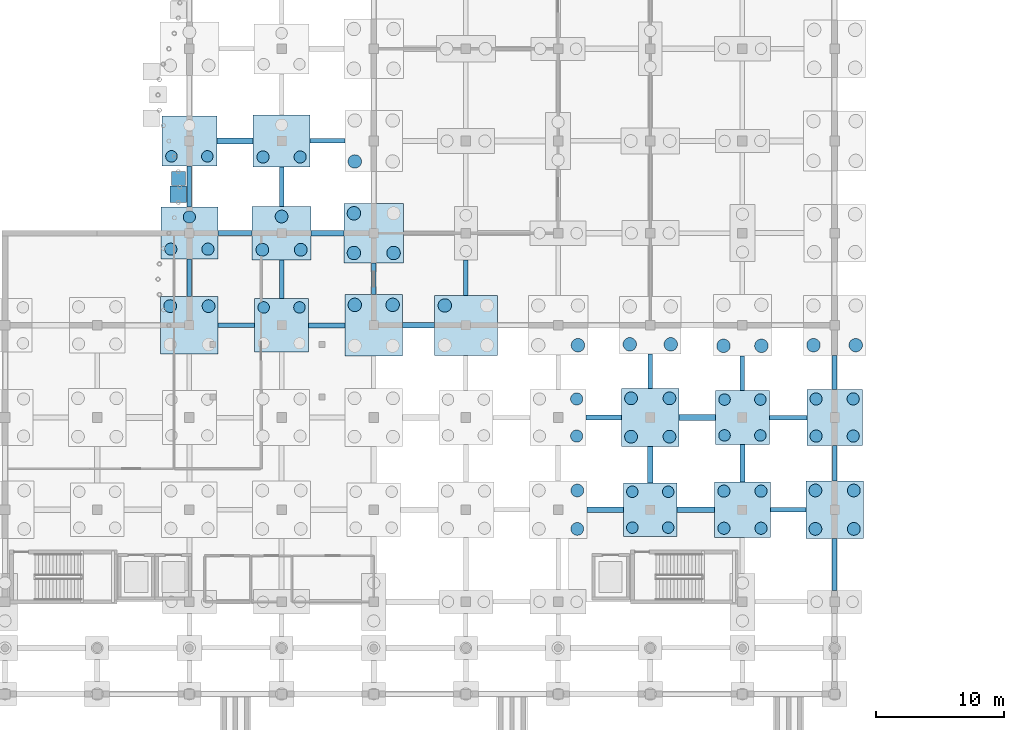
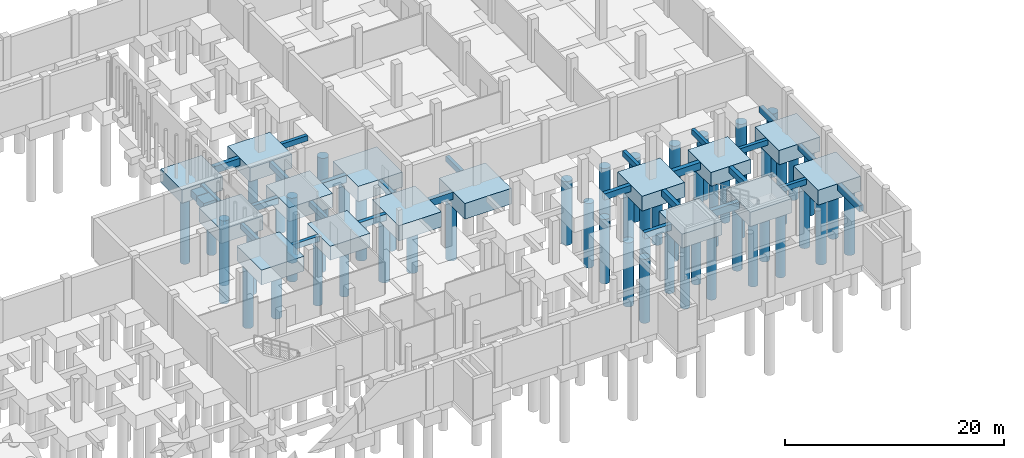
# One storey, part 7 of 35: 56 piles, 43 footings.
"""IFC4 building model written with IfcOpenShell, lengths in metres."""

from ifc_helpers import new_model, si_unit, direction, frame, origin, origin_2d, place, context, subcontext, project, spatial, rectangle, circle, extrude, material, material_profile, profile_set, type_object, element, save


model = new_model("IFC4")

# Units and contexts
model_context = context("Model", 3, precision=1e-05, world=origin(), true_north=direction((0.0, 1.0)))
body_context = subcontext(model_context, "Body", "Model", "MODEL_VIEW")
ifc_project = project(units=[si_unit("LENGTHUNIT", "METRE"), si_unit("AREAUNIT", "SQUARE_METRE"), si_unit("VOLUMEUNIT", "CUBIC_METRE"), si_unit("PLANEANGLEUNIT", "RADIAN"), si_unit("MASSUNIT", "GRAM", prefix="KILO"), si_unit("THERMODYNAMICTEMPERATUREUNIT", "KELVIN"), si_unit("POWERUNIT", "WATT")], contexts=[model_context])

# Site, building, storey
site_placement = place(None, origin())
site = spatial("IfcSite", under=ifc_project, at=site_placement, CompositionType="ELEMENT")
building_placement = place(site_placement, origin())
building = spatial("IfcBuilding", under=site, at=building_placement, Name="Kaldorven Railside Theatre", CompositionType="ELEMENT")
storey_placement = place(building_placement, frame((0.0, 0.0, -4.800048828125)))
storey = spatial("IfcBuildingStorey", under=building, at=storey_placement, Name="B1", CompositionType="ELEMENT", Elevation=-4.800048828125)

# Footings
ifc_material_1 = material(Name="Concrete C40/50", Category="concrete")
ifc_material_profile_1 = material_profile(ifc_material_1, rectangle(XDim=0.449951171875, YDim=0.800048828125, at=origin_2d()), Name="RC 450x800")
ifc_profile_set_1 = profile_set([ifc_material_profile_1], Name="Concrete C40/50")
footing_type_1 = type_object("IfcFootingType", Name="FTG-GB01", PredefinedType="FOOTING_BEAM", material=ifc_profile_set_1)
footing_1_placement = place(storey_placement, frame((110.89990234375, 26.39990234375, -0.39990234375), z_axis=(1.0, 0.0, 0.0), x_axis=(0.0, 1.0, 0.0)))
element("IfcFooting", 1, at=footing_1_placement, inside=storey, type_object=footing_type_1, Name="Foundation Tie Beam GB-111", PredefinedType="FOOTING_BEAM", context=body_context, shape_type="SweptSolid", body=[
    extrude(rectangle(XDim=0.449951171875, YDim=0.800048828125, at=origin_2d()), origin(), (0.0, 0.0, 1.0), 2.925048828125),
])
footing_2_placement = place(storey_placement, frame((111.050048828125, 33.60009765625, -0.39990234375), z_axis=(1.0, 0.0, 0.0), x_axis=(0.0, 1.0, 0.0)))
element("IfcFooting", 2, at=footing_2_placement, inside=storey, type_object=footing_type_1, Name="Foundation Tie Beam GB-144", PredefinedType="FOOTING_BEAM", context=body_context, shape_type="SweptSolid", body=[
    extrude(rectangle(XDim=0.449951171875, YDim=0.800048828125, at=origin_2d()), origin(), (0.0, 0.0, 1.0), 2.849853515625),
])
footing_3_placement = place(storey_placement, frame((89.449951171875, 40.800048828125, -0.39990234375), z_axis=(1.0, 0.0, 0.0), x_axis=(0.0, 1.0, 0.0)))
element("IfcFooting", 3, at=footing_3_placement, inside=storey, type_object=footing_type_1, Name="Foundation Tie Beam GB-168", PredefinedType="FOOTING_BEAM", context=body_context, shape_type="SweptSolid", body=[
    extrude(rectangle(XDim=0.449951171875, YDim=0.800048828125, at=origin_2d()), origin(), (0.0, 0.0, 1.0), 2.5),
])
footing_4_placement = place(storey_placement, frame((82.300048828125, 48.0, -0.39990234375), z_axis=(1.0, 0.0, 0.0), x_axis=(0.0, 1.0, 0.0)))
element("IfcFooting", 4, at=footing_4_placement, inside=storey, type_object=footing_type_1, Name="Foundation Tie Beam GB-192", PredefinedType="FOOTING_BEAM", context=body_context, shape_type="SweptSolid", body=[
    extrude(rectangle(XDim=0.449951171875, YDim=0.800048828125, at=origin_2d()), origin(), (0.0, 0.0, 1.0), 2.574951171875),
])
footing_5_placement = place(storey_placement, frame((74.949951171875, 55.199951171875, -0.39990234375), z_axis=(1.0, 0.0, 0.0), x_axis=(0.0, 1.0, 0.0)))
element("IfcFooting", 5, at=footing_5_placement, inside=storey, type_object=footing_type_1, Name="Foundation Tie Beam GB-216", PredefinedType="FOOTING_BEAM", context=body_context, shape_type="SweptSolid", body=[
    extrude(rectangle(XDim=0.449951171875, YDim=0.800048828125, at=origin_2d()), origin(), (0.0, 0.0, 1.0), 2.824951171875),
])
ifc_material_profile_2 = material_profile(ifc_material_1, rectangle(XDim=0.39990234375, YDim=0.699951171875, at=origin_2d()), Name="RC 400x700")
ifc_profile_set_2 = profile_set([ifc_material_profile_2], Name="Concrete C40/50")
footing_type_2 = type_object("IfcFootingType", Name="FTG-GB02", PredefinedType="FOOTING_BEAM", material=ifc_profile_set_2)
footing_6_placement = place(storey_placement, frame((123.199951171875, 20.10009765625, -0.349853515625), z_axis=(0.0, 1.0, 0.0), x_axis=(-1.0, 0.0, 0.0)))
element("IfcFooting", 6, at=footing_6_placement, inside=storey, type_object=footing_type_2, Name="Foundation Tie Beam GB-082", PredefinedType="FOOTING_BEAM", context=body_context, shape_type="SweptSolid", body=[
    extrude(rectangle(XDim=0.39990234375, YDim=0.699951171875, at=origin_2d()), origin(), (0.0, 0.0, 1.0), 4.0498046875),
])
footing_7_placement = place(storey_placement, frame((103.85009765625, 26.39990234375, -0.349853515625), z_axis=(1.0, 0.0, 0.0), x_axis=(0.0, 1.0, 0.0)))
element("IfcFooting", 7, at=footing_7_placement, inside=storey, type_object=footing_type_2, Name="Foundation Tie Beam GB-109", PredefinedType="FOOTING_BEAM", context=body_context, shape_type="SweptSolid", body=[
    extrude(rectangle(XDim=0.39990234375, YDim=0.699951171875, at=origin_2d()), origin(), (0.0, 0.0, 1.0), 2.849853515625),
])
footing_8_placement = place(storey_placement, frame((108.800048828125, 28.5, -0.349853515625), z_axis=(0.0, 1.0, 0.0), x_axis=(-1.0, 0.0, 0.0)))
element("IfcFooting", 8, at=footing_8_placement, inside=storey, type_object=footing_type_2, Name="Foundation Tie Beam GB-112", PredefinedType="FOOTING_BEAM", context=body_context, shape_type="SweptSolid", body=[
    extrude(rectangle(XDim=0.39990234375, YDim=0.699951171875, at=origin_2d()), origin(), (0.0, 0.0, 1.0), 2.85009765625),
])
footing_9_placement = place(storey_placement, frame((116.0, 28.574951171875, -0.349853515625), z_axis=(0.0, 1.0, 0.0), x_axis=(-1.0, 0.0, 0.0)))
element("IfcFooting", 9, at=footing_9_placement, inside=storey, type_object=footing_type_2, Name="Foundation Tie Beam GB-114", PredefinedType="FOOTING_BEAM", context=body_context, shape_type="SweptSolid", body=[
    extrude(rectangle(XDim=0.39990234375, YDim=0.699951171875, at=origin_2d()), origin(), (0.0, 0.0, 1.0), 2.925048828125),
])
footing_10_placement = place(storey_placement, frame((103.77490234375, 33.60009765625, -0.349853515625), z_axis=(1.0, 0.0, 0.0), x_axis=(0.0, 1.0, 0.0)))
element("IfcFooting", 10, at=footing_10_placement, inside=storey, type_object=footing_type_2, Name="Foundation Tie Beam GB-142", PredefinedType="FOOTING_BEAM", context=body_context, shape_type="SweptSolid", body=[
    extrude(rectangle(XDim=0.39990234375, YDim=0.699951171875, at=origin_2d()), origin(), (0.0, 0.0, 1.0), 2.775146484375),
])
footing_11_placement = place(storey_placement, frame((123.199951171875, 35.77490234375, -0.349853515625), z_axis=(0.0, 1.0, 0.0), x_axis=(-1.0, 0.0, 0.0)))
element("IfcFooting", 11, at=footing_11_placement, inside=storey, type_object=footing_type_2, Name="Foundation Tie Beam GB-148", PredefinedType="FOOTING_BEAM", context=body_context, shape_type="SweptSolid", body=[
    extrude(rectangle(XDim=0.39990234375, YDim=0.699951171875, at=origin_2d()), origin(), (0.0, 0.0, 1.0), 2.675048828125),
])
footing_12_placement = place(storey_placement, frame((82.10009765625, 40.800048828125, -0.349853515625), z_axis=(1.0, 0.0, 0.0), x_axis=(0.0, 1.0, 0.0)))
element("IfcFooting", 12, at=footing_12_placement, inside=storey, type_object=footing_type_2, Name="Foundation Tie Beam GB-166", PredefinedType="FOOTING_BEAM", context=body_context, shape_type="SweptSolid", body=[
    extrude(rectangle(XDim=0.39990234375, YDim=0.699951171875, at=origin_2d()), origin(), (0.0, 0.0, 1.0), 2.849853515625),
])
footing_13_placement = place(storey_placement, frame((75.02490234375, 48.0, -0.349853515625), z_axis=(1.0, 0.0, 0.0), x_axis=(0.0, 1.0, 0.0)))
element("IfcFooting", 13, at=footing_13_placement, inside=storey, type_object=footing_type_2, Name="Foundation Tie Beam GB-190", PredefinedType="FOOTING_BEAM", context=body_context, shape_type="SweptSolid", body=[
    extrude(rectangle(XDim=0.39990234375, YDim=0.699951171875, at=origin_2d()), origin(), (0.0, 0.0, 1.0), 2.675048828125),
])
ifc_material_profile_3 = material_profile(ifc_material_1, rectangle(XDim=0.35009765625, YDim=0.60009765625, at=origin_2d()), Name="RC 350x600")
ifc_profile_set_3 = profile_set([ifc_material_profile_3], Name="Concrete C40/50")
footing_type_3 = type_object("IfcFootingType", Name="FTG-GB03", PredefinedType="FOOTING_BEAM", material=ifc_profile_set_3)
footing_14_placement = place(storey_placement, frame((118.175048828125, 26.39990234375, -0.300048828125), z_axis=(1.0, 0.0, 0.0), x_axis=(0.0, 1.0, 0.0)))
element("IfcFooting", 14, at=footing_14_placement, inside=storey, type_object=footing_type_3, Name="Foundation Tie Beam GB-113", PredefinedType="FOOTING_BEAM", context=body_context, shape_type="SweptSolid", body=[
    extrude(rectangle(XDim=0.35009765625, YDim=0.60009765625, at=origin_2d()), origin(), (0.0, 0.0, 1.0), 2.77490234375),
])
footing_15_placement = place(storey_placement, frame((123.199951171875, 28.64990234375, -0.300048828125), z_axis=(0.0, 1.0, 0.0), x_axis=(-1.0, 0.0, 0.0)))
element("IfcFooting", 15, at=footing_15_placement, inside=storey, type_object=footing_type_3, Name="Foundation Tie Beam GB-115", PredefinedType="FOOTING_BEAM", context=body_context, shape_type="SweptSolid", body=[
    extrude(rectangle(XDim=0.35009765625, YDim=0.60009765625, at=origin_2d()), origin(), (0.0, 0.0, 1.0), 2.775146484375),
])
footing_16_placement = place(storey_placement, frame((108.800048828125, 35.85009765625, -0.300048828125), z_axis=(0.0, 1.0, 0.0), x_axis=(-1.0, 0.0, 0.0)))
element("IfcFooting", 16, at=footing_16_placement, inside=storey, type_object=footing_type_3, Name="Foundation Tie Beam GB-145", PredefinedType="FOOTING_BEAM", context=body_context, shape_type="SweptSolid", body=[
    extrude(rectangle(XDim=0.35009765625, YDim=0.60009765625, at=origin_2d()), origin(), (0.0, 0.0, 1.0), 2.699951171875),
])
footing_17_placement = place(storey_placement, frame((118.10009765625, 33.60009765625, -0.300048828125), z_axis=(1.0, 0.0, 0.0), x_axis=(0.0, 1.0, 0.0)))
element("IfcFooting", 17, at=footing_17_placement, inside=storey, type_object=footing_type_3, Name="Foundation Tie Beam GB-146", PredefinedType="FOOTING_BEAM", context=body_context, shape_type="SweptSolid", body=[
    extrude(rectangle(XDim=0.35009765625, YDim=0.60009765625, at=origin_2d()), origin(), (0.0, 0.0, 1.0), 2.9248046875),
])
footing_18_placement = place(storey_placement, frame((116.0, 35.699951171875, -0.300048828125), z_axis=(0.0, 1.0, 0.0), x_axis=(-1.0, 0.0, 0.0)))
element("IfcFooting", 18, at=footing_18_placement, inside=storey, type_object=footing_type_3, Name="Foundation Tie Beam GB-147", PredefinedType="FOOTING_BEAM", context=body_context, shape_type="SweptSolid", body=[
    extrude(rectangle(XDim=0.35009765625, YDim=0.60009765625, at=origin_2d()), origin(), (0.0, 0.0, 1.0), 2.699951171875),
])
footing_19_placement = place(storey_placement, frame((75.050048828125, 40.800048828125, -0.300048828125), z_axis=(1.0, 0.0, 0.0), x_axis=(0.0, 1.0, 0.0)))
element("IfcFooting", 19, at=footing_19_placement, inside=storey, type_object=footing_type_3, Name="Foundation Tie Beam GB-164", PredefinedType="FOOTING_BEAM", context=body_context, shape_type="SweptSolid", body=[
    extrude(rectangle(XDim=0.35009765625, YDim=0.60009765625, at=origin_2d()), origin(), (0.0, 0.0, 1.0), 2.849853515625),
])
footing_20_placement = place(storey_placement, frame((72.800048828125, 43.050048828125, -0.300048828125), z_axis=(0.0, 1.0, 0.0), x_axis=(-1.0, 0.0, 0.0)))
element("IfcFooting", 20, at=footing_20_placement, inside=storey, type_object=footing_type_3, Name="Foundation Tie Beam GB-165", PredefinedType="FOOTING_BEAM", context=body_context, shape_type="SweptSolid", body=[
    extrude(rectangle(XDim=0.35009765625, YDim=0.60009765625, at=origin_2d()), origin(), (0.0, 0.0, 1.0), 2.925048828125),
])
footing_21_placement = place(storey_placement, frame((80.0, 42.89990234375, -0.300048828125), z_axis=(0.0, 1.0, 0.0), x_axis=(-1.0, 0.0, 0.0)))
element("IfcFooting", 21, at=footing_21_placement, inside=storey, type_object=footing_type_3, Name="Foundation Tie Beam GB-167", PredefinedType="FOOTING_BEAM", context=body_context, shape_type="SweptSolid", body=[
    extrude(rectangle(XDim=0.35009765625, YDim=0.60009765625, at=origin_2d()), origin(), (0.0, 0.0, 1.0), 3.0),
])
footing_22_placement = place(storey_placement, frame((87.199951171875, 43.199951171875, -0.300048828125), z_axis=(0.0, 1.0, 0.0), x_axis=(-1.0, 0.0, 0.0)))
element("IfcFooting", 22, at=footing_22_placement, inside=storey, type_object=footing_type_3, Name="Foundation Tie Beam GB-169", PredefinedType="FOOTING_BEAM", context=body_context, shape_type="SweptSolid", body=[
    extrude(rectangle(XDim=0.35009765625, YDim=0.60009765625, at=origin_2d()), origin(), (0.0, 0.0, 1.0), 2.47509765625),
])
footing_23_placement = place(storey_placement, frame((94.39990234375, 43.14990234375, -0.300048828125), z_axis=(0.0, 1.0, 0.0), x_axis=(-1.0, 0.0, 0.0)))
element("IfcFooting", 23, at=footing_23_placement, inside=storey, type_object=footing_type_3, Name="Foundation Tie Beam GB-171", PredefinedType="FOOTING_BEAM", context=body_context, shape_type="SweptSolid", body=[
    extrude(rectangle(XDim=0.35009765625, YDim=0.60009765625, at=origin_2d()), origin(), (0.0, 0.0, 1.0), 2.75),
])
footing_24_placement = place(storey_placement, frame((72.800048828125, 50.02490234375, -0.300048828125), z_axis=(0.0, 1.0, 0.0), x_axis=(-1.0, 0.0, 0.0)))
element("IfcFooting", 24, at=footing_24_placement, inside=storey, type_object=footing_type_3, Name="Foundation Tie Beam GB-191", PredefinedType="FOOTING_BEAM", context=body_context, shape_type="SweptSolid", body=[
    extrude(rectangle(XDim=0.35009765625, YDim=0.60009765625, at=origin_2d()), origin(), (0.0, 0.0, 1.0), 3.22509765625),
])
footing_25_placement = place(storey_placement, frame((80.0, 50.10009765625, -0.300048828125), z_axis=(0.0, 1.0, 0.0), x_axis=(-1.0, 0.0, 0.0)))
element("IfcFooting", 25, at=footing_25_placement, inside=storey, type_object=footing_type_3, Name="Foundation Tie Beam GB-193", PredefinedType="FOOTING_BEAM", context=body_context, shape_type="SweptSolid", body=[
    extrude(rectangle(XDim=0.35009765625, YDim=0.60009765625, at=origin_2d()), origin(), (0.0, 0.0, 1.0), 3.074951171875),
])
footing_26_placement = place(storey_placement, frame((82.22509765625, 55.199951171875, -0.300048828125), z_axis=(1.0, 0.0, 0.0), x_axis=(0.0, 1.0, 0.0)))
element("IfcFooting", 26, at=footing_26_placement, inside=storey, type_object=footing_type_3, Name="Foundation Tie Beam GB-218", PredefinedType="FOOTING_BEAM", context=body_context, shape_type="SweptSolid", body=[
    extrude(rectangle(XDim=0.35009765625, YDim=0.60009765625, at=origin_2d()), origin(), (0.0, 0.0, 1.0), 2.724853515625),
])
footing_type_4 = type_object("IfcFootingType", Name="FTG-PC09", PredefinedType="PILE_CAP", material=ifc_material_1)
footing_27_placement = place(storey_placement, frame((72.800048828125, 55.199951171875, -1.5), z_axis=(0.0, 0.0, 1.0), x_axis=(1.0, 0.0, 0.0)))
element("IfcFooting", 27, at=footing_27_placement, inside=storey, type_object=footing_type_4, Name="Reinforced Concrete Pile Cap FC-120", PredefinedType="PILE_CAP", context=body_context, shape_type="SweptSolid", body=[
    extrude(rectangle(XDim=4.300048828125, YDim=3.89990234375, at=origin_2d()), origin(), (0.0, 0.0, 1.0), 1.5),
])
footing_type_5 = type_object("IfcFootingType", Name="FTG-PC10", PredefinedType="PILE_CAP", material=ifc_material_1)
for number, where, z_axis, x_axis, name in (
    (28, (72.800048828125, 48.0, -1.5498046875), (0.0, 0.0, 1.0), (1.0, 0.0, 0.0), "Reinforced Concrete Pile Cap FC-106"),
    (29, (80.0, 55.199951171875, -1.5498046875), (0.0, 0.0, 1.0), (1.0, 0.0, 0.0), "Reinforced Concrete Pile Cap FC-121"),
):
    element("IfcFooting", number, at=place(storey_placement, frame(where, z_axis=z_axis, x_axis=x_axis)), inside=storey, type_object=footing_type_5, Name=name, PredefinedType="PILE_CAP", context=body_context, shape_type="SweptSolid", body=[
        extrude(rectangle(XDim=4.449951171875, YDim=4.050048828125, at=origin_2d()), origin(), (0.0, 0.0, 1.0), 1.550048828125),
    ])
footing_type_6 = type_object("IfcFootingType", Name="FTG-PC11", PredefinedType="PILE_CAP", material=ifc_material_1)
footing_28_placement = place(storey_placement, frame((80.0, 48.0, -1.5498046875), z_axis=(0.0, 0.0, 1.0), x_axis=(1.0, 0.0, 0.0)))
element("IfcFooting", 30, at=footing_28_placement, inside=storey, type_object=footing_type_6, Name="Reinforced Concrete Pile Cap FC-107", PredefinedType="PILE_CAP", context=body_context, shape_type="SweptSolid", body=[
    extrude(rectangle(XDim=4.60009765625, YDim=4.199951171875, at=origin_2d()), origin(), (0.0, 0.0, 1.0), 1.550048828125),
])
footing_type_7 = type_object("IfcFootingType", Name="FTG-PC12", PredefinedType="PILE_CAP", material=ifc_material_1)
for number, where, z_axis, x_axis, name in (
    (31, (108.800048828125, 26.39990234375, -1.5498046875), (0.0, 0.0, 1.0), (1.0, 0.0, 0.0), "Reinforced Concrete Pile Cap FC-063"),
    (32, (116.0, 33.60009765625, -1.5498046875), (0.0, 0.0, 1.0), (1.0, 0.0, 0.0), "Reinforced Concrete Pile Cap FC-081"),
    (33, (80.0, 40.800048828125, -1.5498046875), (0.0, 0.0, 1.0), (1.0, 0.0, 0.0), "Reinforced Concrete Pile Cap FC-093"),
):
    element("IfcFooting", number, at=place(storey_placement, frame(where, z_axis=z_axis, x_axis=x_axis)), inside=storey, type_object=footing_type_7, Name=name, PredefinedType="PILE_CAP", context=body_context, shape_type="SweptSolid", body=[
        extrude(rectangle(XDim=4.199951171875, YDim=4.199951171875, at=origin_2d()), origin(), (0.0, 0.0, 1.0), 1.550048828125),
    ])
footing_type_8 = type_object("IfcFootingType", Name="FTG-PC13", PredefinedType="PILE_CAP", material=ifc_material_1)
for number, where, z_axis, x_axis, name in (
    (34, (116.0, 26.39990234375, -1.60009765625), (0.0, 0.0, 1.0), (1.0, 0.0, 0.0), "Reinforced Concrete Pile Cap FC-064"),
    (35, (123.199951171875, 33.60009765625, -1.60009765625), (0.0, 0.0, 1.0), (1.0, 0.0, 0.0), "Reinforced Concrete Pile Cap FC-082"),
):
    element("IfcFooting", number, at=place(storey_placement, frame(where, z_axis=z_axis, x_axis=x_axis)), inside=storey, type_object=footing_type_8, Name=name, PredefinedType="PILE_CAP", context=body_context, shape_type="SweptSolid", body=[
        extrude(rectangle(XDim=4.35009765625, YDim=4.35009765625, at=origin_2d()), origin(), (0.0, 0.0, 1.0), 1.60009765625),
    ])
footing_type_9 = type_object("IfcFootingType", Name="FTG-PC14", PredefinedType="PILE_CAP", material=ifc_material_1)
for number, where, z_axis, x_axis, name in (
    (36, (123.199951171875, 26.39990234375, -1.64990234375), (0.0, 0.0, 1.0), (1.0, 0.0, 0.0), "Reinforced Concrete Pile Cap FC-065"),
    (37, (108.800048828125, 33.60009765625, -1.64990234375), (0.0, 0.0, 1.0), (1.0, 0.0, 0.0), "Reinforced Concrete Pile Cap FC-080"),
    (38, (72.800048828125, 40.800048828125, -1.64990234375), (0.0, 0.0, 1.0), (1.0, 0.0, 0.0), "Reinforced Concrete Pile Cap FC-092"),
):
    element("IfcFooting", number, at=place(storey_placement, frame(where, z_axis=z_axis, x_axis=x_axis)), inside=storey, type_object=footing_type_9, Name=name, PredefinedType="PILE_CAP", context=body_context, shape_type="SweptSolid", body=[
        extrude(rectangle(XDim=4.5, YDim=4.5, at=origin_2d()), origin(), (0.0, 0.0, 1.0), 1.64990234375),
    ])
footing_type_10 = type_object("IfcFootingType", Name="FTG-PC15", PredefinedType="PILE_CAP", material=ifc_material_1)
footing_29_placement = place(storey_placement, frame((87.199951171875, 48.0, -1.69970703125), z_axis=(0.0, 0.0, 1.0), x_axis=(1.0, 0.0, 0.0)))
element("IfcFooting", 39, at=footing_29_placement, inside=storey, type_object=footing_type_10, Name="Reinforced Concrete Pile Cap FC-108", PredefinedType="PILE_CAP", context=body_context, shape_type="SweptSolid", body=[
    extrude(rectangle(XDim=4.64990234375, YDim=4.64990234375, at=origin_2d()), origin(), (0.0, 0.0, 1.0), 1.699951171875),
])
footing_type_11 = type_object("IfcFootingType", Name="FTG-PC17", PredefinedType="PILE_CAP", material=ifc_material_1)
footing_30_placement = place(storey_placement, frame((87.199951171875, 40.800048828125, -1.69970703125), z_axis=(0.0, 0.0, 1.0), x_axis=(1.0, 0.0, 0.0)))
element("IfcFooting", 40, at=footing_30_placement, inside=storey, type_object=footing_type_11, Name="Reinforced Concrete Pile Cap FC-094", PredefinedType="PILE_CAP", context=body_context, shape_type="SweptSolid", body=[
    extrude(rectangle(XDim=4.5, YDim=4.800048828125, at=origin_2d()), origin(), (0.0, 0.0, 1.0), 1.699951171875),
])
footing_type_12 = type_object("IfcFootingType", Name="FTG-PC18", PredefinedType="PILE_CAP", material=ifc_material_1)
footing_31_placement = place(storey_placement, frame((94.39990234375, 40.800048828125, -1.75), z_axis=(0.0, 0.0, 1.0), x_axis=(1.0, 0.0, 0.0)))
element("IfcFooting", 41, at=footing_31_placement, inside=storey, type_object=footing_type_12, Name="Reinforced Concrete Pile Cap FC-095", PredefinedType="PILE_CAP", context=body_context, shape_type="SweptSolid", body=[
    extrude(rectangle(XDim=4.89990234375, YDim=4.699951171875, at=origin_2d()), origin(), (0.0, 0.0, 1.0), 1.75),
])
footing_type_13 = type_object("IfcFootingType", Name="FTG-SF01", PredefinedType="PAD_FOOTING", material=ifc_material_1)
footing_32_placement = place(storey_placement, frame((71.93603515625, 51.030029296875, -0.7998046875), z_axis=(0.0, 0.0, 1.0), x_axis=(1.0, 0.0, 0.0)))
element("IfcFooting", 42, at=footing_32_placement, inside=storey, type_object=footing_type_13, Name="Court Flute Stanchion Pad SF-019", PredefinedType="PAD_FOOTING", context=body_context, shape_type="SweptSolid", body=[
    extrude(rectangle(XDim=1.300048828125, YDim=1.300048828125, at=origin_2d()), origin(), (0.0, 0.0, 1.0), 0.800048828125),
])
footing_33_placement = place(storey_placement, frame((71.93603515625, 52.27001953125, -0.7998046875), z_axis=(0.0, 0.0, 1.0), x_axis=(1.0, 0.0, 0.0)))
element("IfcFooting", 43, at=footing_33_placement, inside=storey, type_object=footing_type_13, Name="Court Flute Stanchion Pad SF-020", PredefinedType="PAD_FOOTING", context=body_context, shape_type="SweptSolid", body=[
    extrude(rectangle(XDim=1.10009765625, YDim=1.10009765625, at=origin_2d()), origin(), (0.0, 0.0, 1.0), 0.800048828125),
])

# Piles
ifc_material_2 = material(Name="Concrete C35/45", Category="concrete")
ifc_material_profile_4 = material_profile(ifc_material_2, circle(Radius=0.5, at=origin_2d()), Name="BP D1000")
ifc_profile_set_4 = profile_set([ifc_material_profile_4], Name="Concrete C35/45")
pile_type_1 = type_object("IfcPileType", Name="PIL-D1000", PredefinedType="BORED", material=ifc_profile_set_4)
for number, where, z_axis, x_axis, name in (
    (44, (103.10009765625, 24.89990234375, -1.550048828125), (0.0, 0.0, -1.0), (1.0, 0.0, 0.0), "Bored Bedrock Socket Pile BP-101-026-2"),
    (45, (103.10009765625, 27.89990234375, -1.550048828125), (0.0, 0.0, -1.0), (1.0, 0.0, 0.0), "Bored Bedrock Socket Pile BP-101-026-4"),
    (46, (121.699951171875, 24.89990234375, -1.550048828125), (0.0, 0.0, -1.0), (1.0, 0.0, 0.0), "Bored Bedrock Socket Pile BP-123-026-1"),
    (47, (124.699951171875, 24.89990234375, -1.550048828125), (0.0, 0.0, -1.0), (1.0, 0.0, 0.0), "Bored Bedrock Socket Pile BP-123-026-2"),
    (48, (121.699951171875, 27.89990234375, -1.550048828125), (0.0, 0.0, -1.0), (1.0, 0.0, 0.0), "Bored Bedrock Socket Pile BP-123-026-3"),
    (49, (124.699951171875, 27.89990234375, -1.550048828125), (0.0, 0.0, -1.0), (1.0, 0.0, 0.0), "Bored Bedrock Socket Pile BP-123-026-4"),
    (50, (107.300048828125, 32.10009765625, -1.550048828125), (0.0, 0.0, -1.0), (1.0, 0.0, 0.0), "Bored Bedrock Socket Pile BP-108-033-1"),
    (51, (110.300048828125, 32.10009765625, -1.550048828125), (0.0, 0.0, -1.0), (1.0, 0.0, 0.0), "Bored Bedrock Socket Pile BP-108-033-2"),
    (52, (107.300048828125, 35.10009765625, -1.550048828125), (0.0, 0.0, -1.0), (1.0, 0.0, 0.0), "Bored Bedrock Socket Pile BP-108-033-3"),
    (53, (110.300048828125, 35.10009765625, -1.550048828125), (0.0, 0.0, -1.0), (1.0, 0.0, 0.0), "Bored Bedrock Socket Pile BP-108-033-4"),
    (54, (71.300048828125, 42.300048828125, -1.550048828125), (0.0, 0.0, -1.0), (1.0, 0.0, 0.0), "Bored Bedrock Socket Pile BP-072-040-3"),
    (55, (74.300048828125, 42.300048828125, -1.550048828125), (0.0, 0.0, -1.0), (1.0, 0.0, 0.0), "Bored Bedrock Socket Pile BP-072-040-4"),
):
    element("IfcPile", number, at=place(storey_placement, frame(where, z_axis=z_axis, x_axis=x_axis)), inside=storey, type_object=pile_type_1, Name=name, PredefinedType="BORED", context=body_context, shape_type="SweptSolid", body=[
        extrude(circle(Radius=0.5, at=origin_2d()), origin(), (0.0, 0.0, 1.0), 7.14990234375),
    ])
for number, where, z_axis, x_axis, name in (
    (56, (78.5, 46.699951171875, -1.449951171875), (0.0, 0.0, -1.0), (1.0, 0.0, 0.0), "Bored Bedrock Socket Pile BP-080-048-1"),
    (57, (81.5, 46.699951171875, -1.449951171875), (0.0, 0.0, -1.0), (1.0, 0.0, 0.0), "Bored Bedrock Socket Pile BP-080-048-2"),
    (58, (80.0, 49.300048828125, -1.449951171875), (0.0, 0.0, -1.0), (1.0, 0.0, 0.0), "Bored Bedrock Socket Pile BP-080-048-3"),
):
    element("IfcPile", number, at=place(storey_placement, frame(where, z_axis=z_axis, x_axis=x_axis)), inside=storey, type_object=pile_type_1, Name=name, PredefinedType="BORED", context=body_context, shape_type="SweptSolid", body=[
        extrude(circle(Radius=0.5, at=origin_2d()), origin(), (0.0, 0.0, 1.0), 7.25),
    ])
ifc_material_profile_5 = material_profile(ifc_material_2, circle(Radius=0.52490234375, at=origin_2d()), Name="BP D1050")
ifc_profile_set_5 = profile_set([ifc_material_profile_5], Name="Concrete C35/45")
pile_type_2 = type_object("IfcPileType", Name="PIL-D1050", PredefinedType="BORED", material=ifc_profile_set_5)
for number, where, z_axis, x_axis, name in (
    (59, (85.719970703125, 42.39990234375, -1.599853515625), (0.0, 0.0, -1.0), (1.0, 0.0, 0.0), "Bored Bedrock Socket Pile BP-087-040-3"),
    (60, (88.679931640625, 42.39990234375, -1.599853515625), (0.0, 0.0, -1.0), (1.0, 0.0, 0.0), "Bored Bedrock Socket Pile BP-087-040-4"),
):
    element("IfcPile", number, at=place(storey_placement, frame(where, z_axis=z_axis, x_axis=x_axis)), inside=storey, type_object=pile_type_2, Name=name, PredefinedType="BORED", context=body_context, shape_type="SweptSolid", body=[
        extrude(circle(Radius=0.52490234375, at=origin_2d()), origin(), (0.0, 0.0, 1.0), 7.10009765625),
    ])
pile_placement = place(storey_placement, frame((92.75, 42.35009765625, -1.64990234375), z_axis=(0.0, 0.0, -1.0), x_axis=(1.0, 0.0, 0.0)))
element("IfcPile", 61, at=pile_placement, inside=storey, type_object=pile_type_2, Name="Bored Bedrock Socket Pile BP-094-040-3", PredefinedType="BORED", context=body_context, shape_type="SweptSolid", body=[
    extrude(circle(Radius=0.52490234375, at=origin_2d()), origin(), (0.0, 0.0, 1.0), 7.050048828125),
])
for number, where, z_axis, x_axis, name in (
    (62, (103.14990234375, 39.25, -1.599853515625), (0.0, 0.0, -1.0), (1.0, 0.0, 0.0), "Bored Bedrock Socket Pile BP-101-040-2"),
    (63, (107.199951171875, 39.320068359375, -1.599853515625), (0.0, 0.0, -1.0), (1.0, 0.0, 0.0), "Bored Bedrock Socket Pile BP-108-040-1"),
    (64, (110.39990234375, 39.320068359375, -1.599853515625), (0.0, 0.0, -1.0), (1.0, 0.0, 0.0), "Bored Bedrock Socket Pile BP-108-040-2"),
    (65, (114.52001953125, 39.199951171875, -1.599853515625), (0.0, 0.0, -1.0), (1.0, 0.0, 0.0), "Bored Bedrock Socket Pile BP-116-040-1"),
    (66, (117.47998046875, 39.199951171875, -1.599853515625), (0.0, 0.0, -1.0), (1.0, 0.0, 0.0), "Bored Bedrock Socket Pile BP-116-040-2"),
):
    element("IfcPile", number, at=place(storey_placement, frame(where, z_axis=z_axis, x_axis=x_axis)), inside=storey, type_object=pile_type_2, Name=name, PredefinedType="BORED", context=body_context, shape_type="SweptSolid", body=[
        extrude(circle(Radius=0.52490234375, at=origin_2d()), origin(), (0.0, 0.0, 1.0), 7.10009765625),
    ])
for number, where, z_axis, x_axis, name in (
    (67, (121.550048828125, 39.25, -1.64990234375), (0.0, 0.0, -1.0), (1.0, 0.0, 0.0), "Bored Bedrock Socket Pile BP-123-040-1"),
    (68, (124.85009765625, 39.25, -1.64990234375), (0.0, 0.0, -1.0), (1.0, 0.0, 0.0), "Bored Bedrock Socket Pile BP-123-040-2"),
):
    element("IfcPile", number, at=place(storey_placement, frame(where, z_axis=z_axis, x_axis=x_axis)), inside=storey, type_object=pile_type_2, Name=name, PredefinedType="BORED", context=body_context, shape_type="SweptSolid", body=[
        extrude(circle(Radius=0.52490234375, at=origin_2d()), origin(), (0.0, 0.0, 1.0), 7.050048828125),
    ])
for number, where, z_axis, x_axis, name in (
    (69, (85.64990234375, 46.449951171875, -1.599853515625), (0.0, 0.0, -1.0), (1.0, 0.0, 0.0), "Bored Bedrock Socket Pile BP-087-048-1"),
    (70, (88.75, 46.449951171875, -1.599853515625), (0.0, 0.0, -1.0), (1.0, 0.0, 0.0), "Bored Bedrock Socket Pile BP-087-048-2"),
    (71, (85.64990234375, 49.550048828125, -1.599853515625), (0.0, 0.0, -1.0), (1.0, 0.0, 0.0), "Bored Bedrock Socket Pile BP-087-048-3"),
    (72, (85.719970703125, 53.60009765625, -1.599853515625), (0.0, 0.0, -1.0), (1.0, 0.0, 0.0), "Bored Bedrock Socket Pile BP-087-055-1"),
):
    element("IfcPile", number, at=place(storey_placement, frame(where, z_axis=z_axis, x_axis=x_axis)), inside=storey, type_object=pile_type_2, Name=name, PredefinedType="BORED", context=body_context, shape_type="SweptSolid", body=[
        extrude(circle(Radius=0.52490234375, at=origin_2d()), origin(), (0.0, 0.0, 1.0), 7.10009765625),
    ])
ifc_material_profile_6 = material_profile(ifc_material_2, circle(Radius=0.449951171875, at=origin_2d()), Name="BP D900")
ifc_profile_set_6 = profile_set([ifc_material_profile_6], Name="Concrete C35/45")
pile_type_3 = type_object("IfcPileType", Name="PIL-D900", PredefinedType="BORED", material=ifc_profile_set_6)
for number, where, z_axis, x_axis, name in (
    (73, (107.39990234375, 25.0, -1.449951171875), (0.0, 0.0, -1.0), (1.0, 0.0, 0.0), "Bored Bedrock Socket Pile BP-108-026-1"),
    (74, (110.199951171875, 25.0, -1.449951171875), (0.0, 0.0, -1.0), (1.0, 0.0, 0.0), "Bored Bedrock Socket Pile BP-108-026-2"),
    (75, (107.39990234375, 27.800048828125, -1.449951171875), (0.0, 0.0, -1.0), (1.0, 0.0, 0.0), "Bored Bedrock Socket Pile BP-108-026-3"),
    (76, (110.199951171875, 27.800048828125, -1.449951171875), (0.0, 0.0, -1.0), (1.0, 0.0, 0.0), "Bored Bedrock Socket Pile BP-108-026-4"),
    (77, (114.60009765625, 32.199951171875, -1.449951171875), (0.0, 0.0, -1.0), (1.0, 0.0, 0.0), "Bored Bedrock Socket Pile BP-116-033-1"),
    (78, (117.39990234375, 32.199951171875, -1.449951171875), (0.0, 0.0, -1.0), (1.0, 0.0, 0.0), "Bored Bedrock Socket Pile BP-116-033-2"),
    (79, (114.60009765625, 35.0, -1.449951171875), (0.0, 0.0, -1.0), (1.0, 0.0, 0.0), "Bored Bedrock Socket Pile BP-116-033-3"),
    (80, (117.39990234375, 35.0, -1.449951171875), (0.0, 0.0, -1.0), (1.0, 0.0, 0.0), "Bored Bedrock Socket Pile BP-116-033-4"),
    (81, (78.60009765625, 42.199951171875, -1.449951171875), (0.0, 0.0, -1.0), (1.0, 0.0, 0.0), "Bored Bedrock Socket Pile BP-080-040-3"),
    (82, (81.39990234375, 42.199951171875, -1.449951171875), (0.0, 0.0, -1.0), (1.0, 0.0, 0.0), "Bored Bedrock Socket Pile BP-080-040-4"),
):
    element("IfcPile", number, at=place(storey_placement, frame(where, z_axis=z_axis, x_axis=x_axis)), inside=storey, type_object=pile_type_3, Name=name, PredefinedType="BORED", context=body_context, shape_type="SweptSolid", body=[
        extrude(circle(Radius=0.449951171875, at=origin_2d()), origin(), (0.0, 0.0, 1.0), 7.25),
    ])
for number, where, z_axis, x_axis, name in (
    (83, (71.39990234375, 54.0, -1.39990234375), (0.0, 0.0, -1.0), (1.0, 0.0, 0.0), "Bored Bedrock Socket Pile BP-072-055-1"),
    (84, (74.199951171875, 54.0, -1.39990234375), (0.0, 0.0, -1.0), (1.0, 0.0, 0.0), "Bored Bedrock Socket Pile BP-072-055-2"),
):
    element("IfcPile", number, at=place(storey_placement, frame(where, z_axis=z_axis, x_axis=x_axis)), inside=storey, type_object=pile_type_3, Name=name, PredefinedType="BORED", context=body_context, shape_type="SweptSolid", body=[
        extrude(circle(Radius=0.449951171875, at=origin_2d()), origin(), (0.0, 0.0, 1.0), 7.300048828125),
    ])
ifc_material_profile_7 = material_profile(ifc_material_2, circle(Radius=0.47509765625, at=origin_2d()), Name="BP D950")
ifc_profile_set_7 = profile_set([ifc_material_profile_7], Name="Concrete C35/45")
pile_type_4 = type_object("IfcPileType", Name="PIL-D950", PredefinedType="BORED", material=ifc_profile_set_7)
for number, where, z_axis, x_axis, name in (
    (85, (114.550048828125, 24.949951171875, -1.5), (0.0, 0.0, -1.0), (1.0, 0.0, 0.0), "Bored Bedrock Socket Pile BP-116-026-1"),
    (86, (117.449951171875, 24.949951171875, -1.5), (0.0, 0.0, -1.0), (1.0, 0.0, 0.0), "Bored Bedrock Socket Pile BP-116-026-2"),
    (87, (114.550048828125, 27.85009765625, -1.5), (0.0, 0.0, -1.0), (1.0, 0.0, 0.0), "Bored Bedrock Socket Pile BP-116-026-3"),
    (88, (117.449951171875, 27.85009765625, -1.5), (0.0, 0.0, -1.0), (1.0, 0.0, 0.0), "Bored Bedrock Socket Pile BP-116-026-4"),
    (89, (103.050048828125, 32.14990234375, -1.5), (0.0, 0.0, -1.0), (1.0, 0.0, 0.0), "Bored Bedrock Socket Pile BP-101-033-2"),
    (90, (103.050048828125, 35.050048828125, -1.5), (0.0, 0.0, -1.0), (1.0, 0.0, 0.0), "Bored Bedrock Socket Pile BP-101-033-4"),
    (91, (121.75, 32.14990234375, -1.5), (0.0, 0.0, -1.0), (1.0, 0.0, 0.0), "Bored Bedrock Socket Pile BP-123-033-1"),
    (92, (124.64990234375, 32.14990234375, -1.5), (0.0, 0.0, -1.0), (1.0, 0.0, 0.0), "Bored Bedrock Socket Pile BP-123-033-2"),
    (93, (121.75, 35.050048828125, -1.5), (0.0, 0.0, -1.0), (1.0, 0.0, 0.0), "Bored Bedrock Socket Pile BP-123-033-3"),
    (94, (124.64990234375, 35.050048828125, -1.5), (0.0, 0.0, -1.0), (1.0, 0.0, 0.0), "Bored Bedrock Socket Pile BP-123-033-4"),
):
    element("IfcPile", number, at=place(storey_placement, frame(where, z_axis=z_axis, x_axis=x_axis)), inside=storey, type_object=pile_type_4, Name=name, PredefinedType="BORED", context=body_context, shape_type="SweptSolid", body=[
        extrude(circle(Radius=0.47509765625, at=origin_2d()), origin(), (0.0, 0.0, 1.0), 7.199951171875),
    ])
for number, where, z_axis, x_axis, name in (
    (95, (71.35009765625, 46.75, -1.449951171875), (0.0, 0.0, -1.0), (1.0, 0.0, 0.0), "Bored Bedrock Socket Pile BP-072-048-1"),
    (96, (74.25, 46.75, -1.449951171875), (0.0, 0.0, -1.0), (1.0, 0.0, 0.0), "Bored Bedrock Socket Pile BP-072-048-2"),
    (97, (72.800048828125, 49.260009765625, -1.449951171875), (0.0, 0.0, -1.0), (1.0, 0.0, 0.0), "Bored Bedrock Socket Pile BP-072-048-3"),
    (98, (78.550048828125, 53.949951171875, -1.449951171875), (0.0, 0.0, -1.0), (1.0, 0.0, 0.0), "Bored Bedrock Socket Pile BP-080-055-1"),
    (99, (81.449951171875, 53.949951171875, -1.449951171875), (0.0, 0.0, -1.0), (1.0, 0.0, 0.0), "Bored Bedrock Socket Pile BP-080-055-2"),
):
    element("IfcPile", number, at=place(storey_placement, frame(where, z_axis=z_axis, x_axis=x_axis)), inside=storey, type_object=pile_type_4, Name=name, PredefinedType="BORED", context=body_context, shape_type="SweptSolid", body=[
        extrude(circle(Radius=0.47509765625, at=origin_2d()), origin(), (0.0, 0.0, 1.0), 7.25),
    ])

save(model, "model.ifc")
